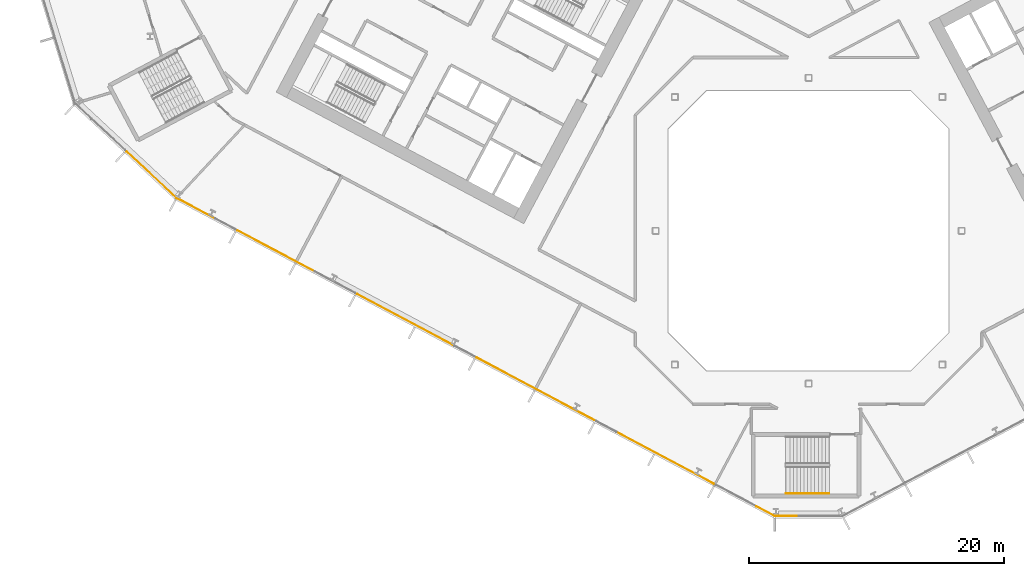
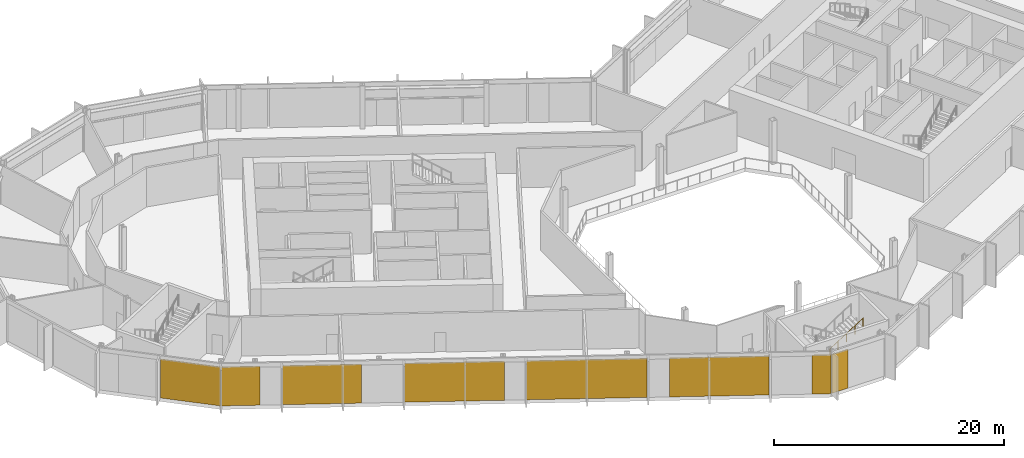
# One storey, part 21 of 31: 8 coverings, 1 railing, 3 elements without a shape of their own.
"""IFC4 building model written with IfcOpenShell, lengths in metres."""

from ifc_helpers import new_model, si_unit, direction, frame, origin, origin_2d, place, context, subcontext, project, spatial, polyline, rectangle, outline, extrude, material, layer, layer_set, type_object, element, aggregate, save


model = new_model("IFC4")

# Units and contexts
model_context = context("Model", 3, precision=1e-05, world=origin(), true_north=direction((0.0, 1.0)))
body_context = subcontext(model_context, "Body", "Model", "MODEL_VIEW")
ifc_project = project(units=[si_unit("LENGTHUNIT", "METRE"), si_unit("AREAUNIT", "SQUARE_METRE"), si_unit("VOLUMEUNIT", "CUBIC_METRE"), si_unit("PLANEANGLEUNIT", "RADIAN"), si_unit("MASSUNIT", "GRAM", prefix="KILO")], contexts=[model_context])

# Site, building, storey
site_placement = place(None, origin())
site = spatial("IfcSite", under=ifc_project, at=site_placement, CompositionType="ELEMENT")
building_placement = place(site_placement, origin())
building = spatial("IfcBuilding", under=site, at=building_placement, Name="Cormorant Relay Tower", CompositionType="ELEMENT")
storey_placement = place(building_placement, frame((0.0, 0.0, 107.60009765625)))
storey = spatial("IfcBuildingStorey", under=building, at=storey_placement, Name="L21", CompositionType="ELEMENT", Elevation=107.60009765625)

# Curtain wall, covering
ifc_material_1 = material(Name="Aluminium 6063-T6 anodised bronze", Category="aluminium")
ifc_layer_1 = layer(ifc_material_1, 0.199951171875)
ifc_layer_set_1 = layer_set([ifc_layer_1], Name="CW1 unitised bronze curtain wall with vertical fins")
curtain_wall_type = type_object("IfcCurtainWallType", Name="CW1 unitised bronze curtain wall with vertical fins", PredefinedType="NOTDEFINED", material=ifc_layer_set_1)
curtain_wall_1_placement = place(storey_placement, origin())
curtain_wall_1 = element("IfcCurtainWall", 1, at=curtain_wall_1_placement, inside=storey, type_object=curtain_wall_type, Name="CW1 curtain wall 1", PredefinedType="NOTDEFINED")
ifc_material_2 = material(Name="Pale bronze anodised aluminium insulated panel", Category="aluminium")
ifc_layer_2 = layer(ifc_material_2, 0.0400390625)
ifc_layer_set_2 = layer_set([ifc_layer_2], Name="CW1 pale bronze insulated panel 40")
covering_type = type_object("IfcCoveringType", Name="CW1 pale bronze insulated panel 40", PredefinedType="CLADDING", material=ifc_layer_set_2)
covering_1_placement = place(storey_placement, frame((-1.762451171875, -22.3955078125, 0.0), z_axis=(0.0, 0.0, 1.0), x_axis=(1.0, 0.0, 0.0)))
covering_1 = element("IfcCovering", 2, at=covering_1_placement, type_object=covering_type, Name="CW1 panel S00", PredefinedType="CLADDING", context=body_context, shape_type="SweptSolid", body=[
    extrude(rectangle(XDim=1.622802734375, YDim=0.0400390625, at=origin_2d()), origin(), (0.0, 0.0, 1.0), 4.14990234375),
])
aggregate(curtain_wall_1, [covering_1])

curtain_wall_2_placement = place(storey_placement, origin())
curtain_wall_2 = element("IfcCurtainWall", 3, at=curtain_wall_2_placement, inside=storey, type_object=curtain_wall_type, Name="CW1 curtain wall 13", PredefinedType="NOTDEFINED")
covering_2_placement = place(storey_placement, frame((-51.565185546875, 4.3974609375, 0.0), z_axis=(0.0, 0.0, 1.0), x_axis=(0.731353701619, -0.681998360062, 0.0)))
covering_2 = element("IfcCovering", 4, at=covering_2_placement, type_object=covering_type, Name="CW1 panel S02", PredefinedType="CLADDING", context=body_context, shape_type="SweptSolid", body=[
    extrude(rectangle(XDim=5.360107421875, YDim=0.0400390625, at=origin_2d()), origin(), (0.0, 0.0, 1.0), 4.14990234375),
])
aggregate(curtain_wall_2, [covering_2])

# Curtain wall, coverings
curtain_wall_3_placement = place(storey_placement, origin())
curtain_wall_3 = element("IfcCurtainWall", 5, at=curtain_wall_3_placement, inside=storey, type_object=curtain_wall_type, Name="CW1 curtain wall 14", PredefinedType="NOTDEFINED")
covering_3_placement = place(storey_placement, frame((-48.048583984375, 1.7412109375, 0.0), z_axis=(0.0, 0.0, 1.0), x_axis=(0.882947592859, -0.469471562786, 0.0)))
covering_3 = element("IfcCovering", 6, at=covering_3_placement, type_object=covering_type, Name="CW1 panel S00", PredefinedType="CLADDING", context=body_context, shape_type="SweptSolid", body=[
    extrude(rectangle(XDim=3.36669921875, YDim=0.0400390625, at=origin_2d()), origin(), (0.0, 0.0, 1.0), 4.14990234375),
])
covering_4_placement = place(storey_placement, frame((-41.8017578125, -1.580322265625, 0.0), z_axis=(0.0, 0.0, 1.0), x_axis=(0.882947592859, -0.469471562786, 0.0)))
covering_4 = element("IfcCovering", 7, at=covering_4_placement, type_object=covering_type, Name="CW1 panel S02", PredefinedType="CLADDING", context=body_context, shape_type="SweptSolid", body=[
    extrude(rectangle(XDim=6.88330078125, YDim=0.0400390625, at=origin_2d()), origin(), (0.0, 0.0, 1.0), 4.14990234375),
])
covering_5_placement = place(storey_placement, frame((-31.618408203125, -6.994873046875, 0.0), z_axis=(0.0, 0.0, 1.0), x_axis=(0.882947592859, -0.469471562786, 0.0)))
covering_5 = element("IfcCovering", 8, at=covering_5_placement, type_object=covering_type, Name="CW1 panel S04", PredefinedType="CLADDING", context=body_context, shape_type="SweptSolid", body=[
    extrude(rectangle(XDim=8.68310546875, YDim=0.0400390625, at=origin_2d()), origin(), (0.0, 0.0, 1.0), 4.14990234375),
])
covering_6_placement = place(storey_placement, frame((-21.435302734375, -12.4091796875, 0.0), z_axis=(0.0, 0.0, 1.0), x_axis=(0.882947592859, -0.469471562786, 0.0)))
covering_6 = element("IfcCovering", 9, at=covering_6_placement, type_object=covering_type, Name="CW1 panel S06", PredefinedType="CLADDING", context=body_context, shape_type="SweptSolid", body=[
    extrude(rectangle(XDim=10.483154296875, YDim=0.0400390625, at=origin_2d()), origin(), (0.0, 0.0, 1.0), 4.14990234375),
])
covering_7_placement = place(storey_placement, frame((-11.252197265625, -17.82373046875, 0.0), z_axis=(0.0, 0.0, 1.0), x_axis=(0.882947592859, -0.469471562786, 0.0)))
covering_7 = element("IfcCovering", 10, at=covering_7_placement, type_object=covering_type, Name="CW1 panel S08", PredefinedType="CLADDING", context=body_context, shape_type="SweptSolid", body=[
    extrude(rectangle(XDim=8.68310546875, YDim=0.0400390625, at=origin_2d()), origin(), (0.0, 0.0, 1.0), 4.14990234375),
])
covering_8_placement = place(storey_placement, frame((-3.383056640625, -22.0078125, 0.0), z_axis=(0.0, 0.0, 1.0), x_axis=(0.882947592859, -0.469471562786, 0.0)))
covering_8 = element("IfcCovering", 11, at=covering_8_placement, type_object=covering_type, Name="CW1 panel S10", PredefinedType="CLADDING", context=body_context, shape_type="SweptSolid", body=[
    extrude(rectangle(XDim=1.6416015625, YDim=0.0400390625, at=origin_2d()), origin(), (0.0, 0.0, 1.0), 4.14990234375),
])
aggregate(curtain_wall_3, [covering_3, covering_4, covering_5, covering_6, covering_7, covering_8])

# Railing
ifc_material_3 = material(Name="Steel ASTM A572 Grade 50 (Fy 345 MPa)", Category="steel")
railing_type = type_object("IfcRailingType", Name="Stair handrail 900", PredefinedType="HANDRAIL", material=ifc_material_3)
railing_placement = place(storey_placement, frame((-1.760009765625, -20.625, 2.476806640625)))
element("IfcRailing", 12, at=railing_placement, inside=storey, type_object=railing_type, Name="L21 RK1 stair handrail 2", PredefinedType="HANDRAIL", context=body_context, shape_type="SweptSolid", body=[
    extrude(outline(polyline([(0.022216796875, 0.00927734375), (0.00927734375, 0.022216796875), (-0.00927734375, 0.022216796875), (-0.022216796875, 0.00927734375), (-0.022216796875, -0.00927734375), (-0.00927734375, -0.022216796875), (0.00927734375, -0.022216796875), (0.022216796875, -0.00927734375), (0.022216796875, 0.00927734375)])), frame((0.0, 0.0, 0.8759765625), z_axis=(0.845389635667, 0.0, 0.534150132366), x_axis=(0.0, 1.0, 0.0)), (0.0, 0.0, 1.0), 3.974609375),
    extrude(outline(polyline([(0.019287109375, 0.008056640625), (0.008056640625, 0.019287109375), (-0.008056640625, 0.019287109375), (-0.019287109375, 0.008056640625), (-0.019287109375, -0.008056640625), (-0.008056640625, -0.019287109375), (0.008056640625, -0.019287109375), (0.019287109375, -0.008056640625), (0.019287109375, 0.008056640625)])), origin(), (0.0, 0.0, 1.0), 0.851806640625),
    extrude(outline(polyline([(0.019287109375, 0.008056640625), (0.008056640625, 0.019287109375), (-0.008056640625, 0.019287109375), (-0.019287109375, 0.008056640625), (-0.019287109375, -0.008056640625), (-0.008056640625, -0.019287109375), (0.008056640625, -0.019287109375), (0.019287109375, -0.008056640625), (0.019287109375, 0.008056640625)])), frame((0.840087890625, 0.0, 0.53076171875)), (0.0, 0.0, 1.0), 0.851806640625),
    extrude(outline(polyline([(0.019287109375, 0.008056640625), (0.008056640625, 0.019287109375), (-0.008056640625, 0.019287109375), (-0.019287109375, 0.008056640625), (-0.019287109375, -0.008056640625), (-0.008056640625, -0.019287109375), (0.008056640625, -0.019287109375), (0.019287109375, -0.008056640625), (0.019287109375, 0.008056640625)])), frame((1.68017578125, 0.0, 1.0615234375)), (0.0, 0.0, 1.0), 0.851806640625),
    extrude(outline(polyline([(0.019287109375, 0.008056640625), (0.008056640625, 0.019287109375), (-0.008056640625, 0.019287109375), (-0.019287109375, 0.008056640625), (-0.019287109375, -0.008056640625), (-0.008056640625, -0.019287109375), (0.008056640625, -0.019287109375), (0.019287109375, -0.008056640625), (0.019287109375, 0.008056640625)])), frame((2.52001953125, 0.0, 1.59228515625)), (0.0, 0.0, 1.0), 0.851806640625),
    extrude(outline(polyline([(0.019287109375, 0.008056640625), (0.008056640625, 0.019287109375), (-0.008056640625, 0.019287109375), (-0.019287109375, 0.008056640625), (-0.019287109375, -0.008056640625), (-0.008056640625, -0.019287109375), (0.008056640625, -0.019287109375), (0.019287109375, -0.008056640625), (0.019287109375, 0.008056640625)])), frame((3.360107421875, 0.0, 2.123046875)), (0.0, 0.0, 1.0), 0.851806640625),
])

save(model, "model.ifc")
